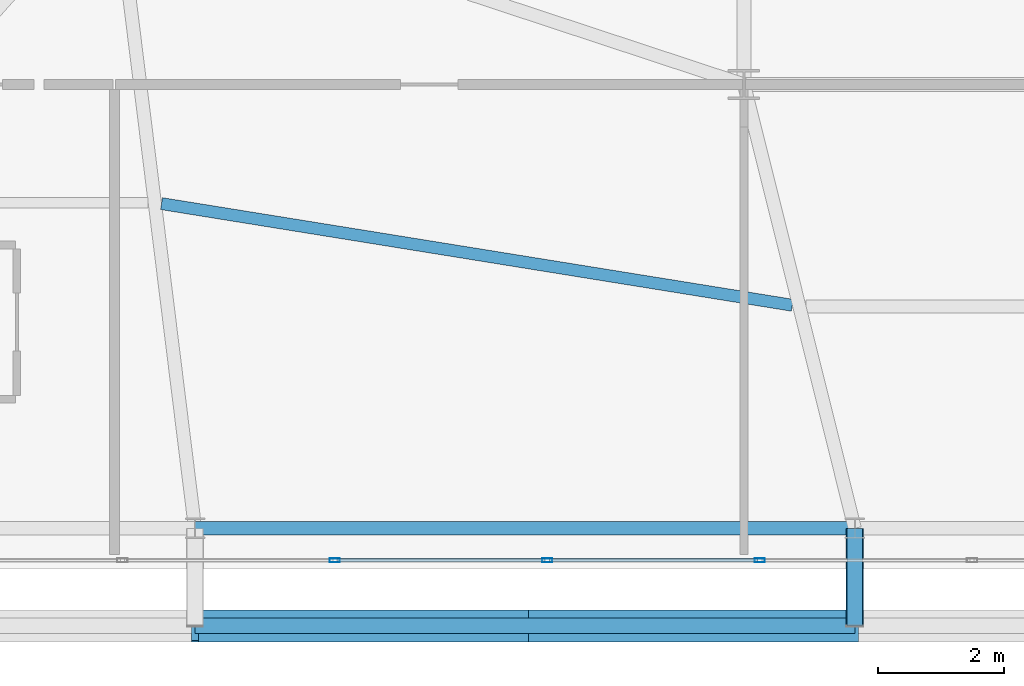
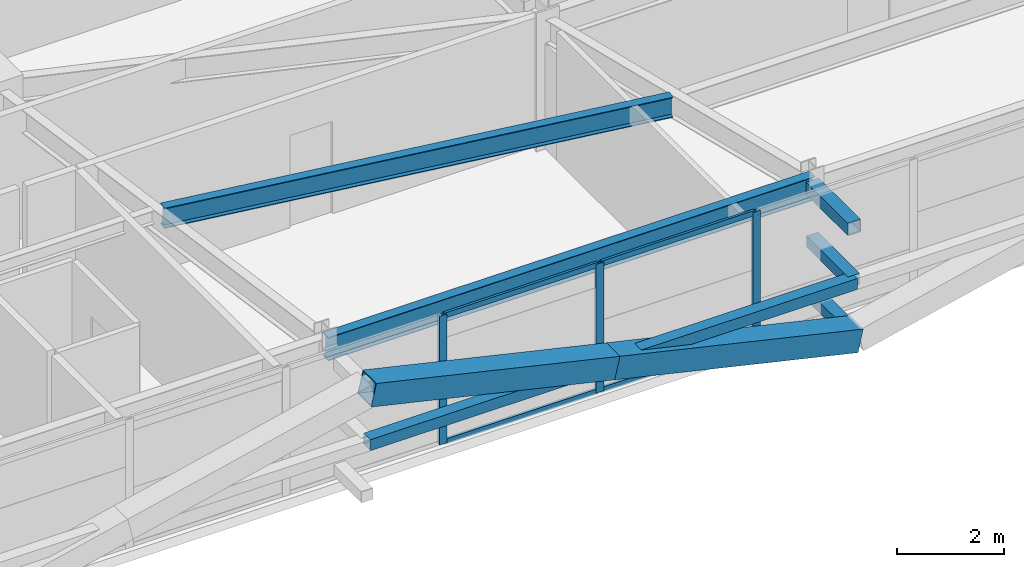
# One storey, part 11 of 59: 13 members, 2 beams, 1 element without a shape of its own.
"""IFC4 building model written with IfcOpenShell, lengths in metres."""

from ifc_helpers import new_model, si_unit, direction, frame, origin, origin_2d, place, context, subcontext, project, spatial, hollow_rectangle, i_section, extrude, source, transform, mapped, material, layer, layer_set, material_profile, profile_set, type_object, element, aggregate, save


model = new_model("IFC4")

# Units and contexts
model_context = context("Model", 3, precision=1e-05, world=origin(), true_north=direction((0.0, 1.0)))
body_context = subcontext(model_context, "Body", "Model", "MODEL_VIEW")
ifc_project = project(units=[si_unit("LENGTHUNIT", "METRE"), si_unit("AREAUNIT", "SQUARE_METRE"), si_unit("VOLUMEUNIT", "CUBIC_METRE"), si_unit("PLANEANGLEUNIT", "RADIAN"), si_unit("MASSUNIT", "GRAM", prefix="KILO")], contexts=[model_context])

# Site, building, storey
site_placement = place(None, origin())
site = spatial("IfcSite", under=ifc_project, at=site_placement, CompositionType="ELEMENT")
building_placement = place(site_placement, origin())
building = spatial("IfcBuilding", under=site, at=building_placement, Name="Taldren Reach Tower", CompositionType="ELEMENT")
storey_placement = place(building_placement, frame((0.0, 0.0, 29.39990234375)))
storey = spatial("IfcBuildingStorey", under=building, at=storey_placement, Name="L08", CompositionType="ELEMENT", Elevation=29.39990234375)

# Beams
ifc_material_1 = material(Name="Steel Gr 350 (350PLUS)", Category="steel")
ifc_material_profile_1 = material_profile(ifc_material_1, i_section(OverallWidth=0.208984375, OverallDepth=0.528076171875, WebThickness=0.009521484375, FlangeThickness=0.01318359375, at=origin_2d()), Name="530UB82.0")
ifc_profile_set_1 = profile_set([ifc_material_profile_1], Name="Steel Gr 350 (350PLUS)")
beam_type_1 = type_object("IfcBeamType", Name="SP-UB530B", PredefinedType="SPANDREL", material=ifc_profile_set_1)
shared_shape_1 = source(origin(), body_context, "Body", "SweptSolid", [
    extrude(i_section(OverallWidth=0.208984375, OverallDepth=0.528076171875, WebThickness=0.009521484375, FlangeThickness=0.01318359375, at=origin_2d()), origin(), (0.0, 0.0, 1.0), 10.47998046875),
])
beam_1_placement = place(storey_placement, frame((19.280029296875, 2.14990234375, 2.666015625), z_axis=(1.0, 0.0, 0.0), x_axis=(0.0, 1.0, 0.0)))
element("IfcBeam", 1, at=beam_1_placement, inside=storey, type_object=beam_type_1, Name="Perimeter spandrel B1 S2-S3 L08", PredefinedType="SPANDREL", context=body_context, shape_type="MappedRepresentation", body=[
    mapped(shared_shape_1, transform((0.0, 0.0, 0.0), scale=1.0)),
])
ifc_material_profile_2 = material_profile(ifc_material_1, i_section(OverallWidth=0.19091796875, OverallDepth=0.4599609375, WebThickness=0.010009765625, FlangeThickness=0.01611328125, at=origin_2d()), Name="460UB82.1")
ifc_profile_set_2 = profile_set([ifc_material_profile_2], Name="Steel Gr 350 (350PLUS)")
beam_type_2 = type_object("IfcBeamType", Name="BM-UB460A", PredefinedType="BEAM", material=ifc_profile_set_2)
shared_shape_2 = source(origin(), body_context, "Body", "SweptSolid", [
    extrude(i_section(OverallWidth=0.19091796875, OverallDepth=0.4599609375, WebThickness=0.010009765625, FlangeThickness=0.01611328125, at=origin_2d()), origin(), (0.0, 0.0, 1.0), 10.1494140625),
])
beam_2_placement = place(storey_placement, frame((18.74755859375, 7.3076171875, 2.7001953125), z_axis=(0.987266967452, -0.159072106224, 0.0), x_axis=(0.159072106224, 0.987266967452, 0.0)))
element("IfcBeam", 2, at=beam_2_placement, inside=storey, type_object=beam_type_2, Name="Secondary floor beam B1 J2 L08", PredefinedType="BEAM", context=body_context, shape_type="MappedRepresentation", body=[
    mapped(shared_shape_2, transform((0.0, 0.0, 0.0), scale=1.0)),
])

# Members
ifc_material_2 = material(Name="Steel Gr 450 (C450L0)", Category="steel")
ifc_material_profile_3 = material_profile(ifc_material_2, hollow_rectangle(XDim=0.27490234375, YDim=0.27490234375, WallThickness=0.00927734375, at=origin_2d()), Name="275x275x9.3SHS")
ifc_profile_set_3 = profile_set([ifc_material_profile_3], Name="Steel Gr 450 (C450L0)")
member_type_1 = type_object("IfcMemberType", Name="MB-TIE273", PredefinedType="STRUT", material=ifc_profile_set_3)
shared_shape_3 = source(origin(), body_context, "Body", "SweptSolid", [
    extrude(hollow_rectangle(XDim=0.27490234375, YDim=0.27490234375, WallThickness=0.00927734375, at=origin_2d()), origin(), (0.0, 0.0, 1.0), 1.5498046875),
])
member_1_placement = place(storey_placement, frame((29.760009765625, 2.14990234375, 2.650146484375), z_axis=(0.0, -1.0, 0.0), x_axis=(1.0, 0.0, 0.0)))
element("IfcMember", 3, at=member_1_placement, inside=storey, type_object=member_type_1, Name="Exoskeleton diaphragm tie strut B1-S3 L08", PredefinedType="STRUT", context=body_context, shape_type="MappedRepresentation", body=[
    mapped(shared_shape_3, transform((0.0, 0.0, 0.0), scale=1.0)),
])
ifc_material_profile_4 = material_profile(ifc_material_2, hollow_rectangle(XDim=0.510009765625, YDim=0.510009765625, WallThickness=0.02001953125, at=origin_2d()), Name="510x510x20.0SHS")
ifc_profile_set_4 = profile_set([ifc_material_profile_4], Name="Steel Gr 450 (C450L0)")
member_type_2 = type_object("IfcMemberType", Name="MB-EXO508", PredefinedType="BRACE", material=ifc_profile_set_4)
shared_shape_4 = source(origin(), body_context, "Body", "SweptSolid", [
    extrude(hollow_rectangle(XDim=0.510009765625, YDim=0.510009765625, WallThickness=0.02001953125, at=origin_2d()), origin(), (0.0, 0.0, 1.0), 5.37890625),
])
for number, where, z_axis, x_axis, name in (
    (4, (29.760009765625, 0.60009765625, 0.22021484375), (-0.974161966843, 0.0, 0.225850531007), (0.0, -1.0, 0.0), "Exoskeleton Diagrid Brace B1-S2 L08"),
    (5, (24.52001953125, 0.60009765625, 1.43505859375), (-0.97415197996, 0.0, 0.225893603143), (0.0, -1.0, 0.0), "Exoskeleton Diagrid Brace B1-S2 L08"),
):
    element("IfcMember", number, at=place(storey_placement, frame(where, z_axis=z_axis, x_axis=x_axis)), inside=storey, type_object=member_type_2, Name=name, PredefinedType="BRACE", context=body_context, shape_type="MappedRepresentation", body=[
        mapped(shared_shape_4, transform((0.0, 0.0, 0.0), scale=1.0)),
    ])
ifc_material_3 = material(Name="Steel Gr 350 (C350L0)", Category="steel")
ifc_material_profile_5 = material_profile(ifc_material_3, hollow_rectangle(XDim=0.25, YDim=0.25, WallThickness=0.010009765625, at=origin_2d()), Name="250x250x10.0SHS")
ifc_profile_set_5 = profile_set([ifc_material_profile_5], Name="Steel Gr 350 (C350L0)")
member_type_3 = type_object("IfcMemberType", Name="MB-POST250", PredefinedType="POST", material=ifc_profile_set_5)
shared_shape_5 = source(origin(), body_context, "Body", "SweptSolid", [
    extrude(hollow_rectangle(XDim=0.25, YDim=0.25, WallThickness=0.010009765625, at=origin_2d()), origin(), (0.0, 0.0, 1.0), 10.47998046875),
])
member_2_placement = place(storey_placement, frame((19.280029296875, 0.60009765625, 1.43505859375), z_axis=(1.0, 0.0, 0.0), x_axis=(0.0, 1.0, 0.0)))
element("IfcMember", 6, at=member_2_placement, inside=storey, type_object=member_type_3, Name="Exoskeleton mid-height ring chord B1-S2 L08", PredefinedType="POST", context=body_context, shape_type="MappedRepresentation", body=[
    mapped(shared_shape_5, transform((0.0, 0.0, 0.0), scale=1.0)),
])
shared_shape_6 = source(origin(), body_context, "Body", "SweptSolid", [
    extrude(hollow_rectangle(XDim=0.25, YDim=0.25, WallThickness=0.010009765625, at=origin_2d()), origin(), (0.0, 0.0, 1.0), 1.5498046875),
])
for number, where, z_axis, x_axis, name in (
    (7, (29.760009765625, 2.14990234375, 0.22021484375), (0.0, -1.0, 0.0), (1.0, 0.0, 0.0), "Exoskeleton base diaphragm tie strut B1-S3 L08"),
    (8, (29.760009765625, 2.14990234375, 1.43505859375), (0.0, -1.0, 0.0), (1.0, 0.0, 0.0), "Exoskeleton mid-tier diaphragm tie B1-S3 L08"),
):
    element("IfcMember", number, at=place(storey_placement, frame(where, z_axis=z_axis, x_axis=x_axis)), inside=storey, type_object=member_type_3, Name=name, PredefinedType="POST", context=body_context, shape_type="MappedRepresentation", body=[
        mapped(shared_shape_6, transform((0.0, 0.0, 0.0), scale=1.0)),
    ])

# Curtain wall, members
ifc_material_4 = material(Name="Aluminium and Low-E Glass Unitised System", Category="aluminium")
ifc_layer = layer(ifc_material_4, 0.159912109375)
ifc_layer_set = layer_set([ifc_layer], Name="Aluminium and Low-E Glass Unitised System")
curtain_wall_type = type_object("IfcCurtainWallType", Name="CW-SYS-2", PredefinedType="NOTDEFINED", material=ifc_layer_set)
curtain_wall_placement = place(storey_placement, origin())
curtain_wall = element("IfcCurtainWall", 9, at=curtain_wall_placement, inside=storey, type_object=curtain_wall_type, Name="Unitised curtain wall CW-L08-S", PredefinedType="NOTDEFINED")
ifc_material_5 = material(Name="Anodised Aluminium 6063-T6", Category="aluminium")
ifc_material_profile_6 = material_profile(ifc_material_5, hollow_rectangle(XDim=0.054931640625, YDim=0.1201171875, WallThickness=0.0029296875, at=origin_2d()), Name="ALU-120x55x3RHS")
ifc_profile_set_6 = profile_set([ifc_material_profile_6], Name="Anodised Aluminium 6063-T6")
member_type_4 = type_object("IfcMemberType", Name="CW-TRN-135", PredefinedType="USERDEFINED", material=ifc_profile_set_6)
shared_shape_7 = source(origin(), body_context, "Body", "SweptSolid", [
    extrude(hollow_rectangle(XDim=0.054931640625, YDim=0.1201171875, WallThickness=0.0029296875, at=origin_2d()), origin(), (0.0, 0.0, 1.0), 3.31005859375),
])
member_3_placement = place(storey_placement, frame((21.532470703125, 1.639892578125, 0.027587890625), z_axis=(1.0, 0.0, 0.0), x_axis=(0.0, 1.0, 0.0)))
member_3 = element("IfcMember", 10, at=member_3_placement, type_object=member_type_4, Name="CW-2 transom 5.1", ObjectType="TRANSOM", PredefinedType="USERDEFINED", context=body_context, shape_type="MappedRepresentation", body=[
    mapped(shared_shape_7, transform((0.0, 0.0, 0.0), scale=1.0)),
])
member_4_placement = place(storey_placement, frame((21.532470703125, 1.639892578125, 2.902587890625), z_axis=(1.0, 0.0, 0.0), x_axis=(0.0, 1.0, 0.0)))
member_4 = element("IfcMember", 11, at=member_4_placement, type_object=member_type_4, Name="CW-2 transom 5.2", ObjectType="TRANSOM", PredefinedType="USERDEFINED", context=body_context, shape_type="MappedRepresentation", body=[
    mapped(shared_shape_7, transform((0.0, 0.0, 0.0), scale=1.0)),
])
member_5_placement = place(storey_placement, frame((24.907470703125, 1.639892578125, 0.027587890625), z_axis=(1.0, 0.0, 0.0), x_axis=(0.0, 1.0, 0.0)))
member_5 = element("IfcMember", 12, at=member_5_placement, type_object=member_type_4, Name="CW-2 transom 6.1", ObjectType="TRANSOM", PredefinedType="USERDEFINED", context=body_context, shape_type="MappedRepresentation", body=[
    mapped(shared_shape_7, transform((0.0, 0.0, 0.0), scale=1.0)),
])
member_6_placement = place(storey_placement, frame((24.907470703125, 1.639892578125, 2.902587890625), z_axis=(1.0, 0.0, 0.0), x_axis=(0.0, 1.0, 0.0)))
member_6 = element("IfcMember", 13, at=member_6_placement, type_object=member_type_4, Name="CW-2 transom 6.2", ObjectType="TRANSOM", PredefinedType="USERDEFINED", context=body_context, shape_type="MappedRepresentation", body=[
    mapped(shared_shape_7, transform((0.0, 0.0, 0.0), scale=1.0)),
])
ifc_material_profile_7 = material_profile(ifc_material_5, hollow_rectangle(XDim=0.06494140625, YDim=0.1650390625, WallThickness=0.00390625, at=origin_2d()), Name="ALU-165x65x4RHS")
ifc_profile_set_7 = profile_set([ifc_material_profile_7], Name="Anodised Aluminium 6063-T6")
member_type_5 = type_object("IfcMemberType", Name="CW-MUL-165", PredefinedType="MULLION", material=ifc_profile_set_7)
shared_shape_8 = source(origin(), body_context, "Body", "SweptSolid", [
    extrude(hollow_rectangle(XDim=0.06494140625, YDim=0.1650390625, WallThickness=0.00390625, at=origin_2d()), origin(), (0.0, 0.0, 1.0), 2.93017578125),
])
member_7_placement = place(storey_placement, frame((21.5, 1.639892578125, 0.0), z_axis=(0.0, 0.0, 1.0), x_axis=(0.0, 1.0, 0.0)))
member_7 = element("IfcMember", 14, at=member_7_placement, type_object=member_type_5, Name="CW-2 mullion 5", PredefinedType="MULLION", context=body_context, shape_type="MappedRepresentation", body=[
    mapped(shared_shape_8, transform((0.0, 0.0, 0.0), scale=1.0)),
])
member_8_placement = place(storey_placement, frame((24.875, 1.639892578125, 0.0), z_axis=(0.0, 0.0, 1.0), x_axis=(0.0, 1.0, 0.0)))
member_8 = element("IfcMember", 15, at=member_8_placement, type_object=member_type_5, Name="CW-2 mullion 6", PredefinedType="MULLION", context=body_context, shape_type="MappedRepresentation", body=[
    mapped(shared_shape_8, transform((0.0, 0.0, 0.0), scale=1.0)),
])
member_9_placement = place(storey_placement, frame((28.25, 1.639892578125, 0.0), z_axis=(0.0, 0.0, 1.0), x_axis=(0.0, 1.0, 0.0)))
member_9 = element("IfcMember", 16, at=member_9_placement, type_object=member_type_5, Name="CW-2 mullion 7", PredefinedType="MULLION", context=body_context, shape_type="MappedRepresentation", body=[
    mapped(shared_shape_8, transform((0.0, 0.0, 0.0), scale=1.0)),
])
aggregate(curtain_wall, [member_7, member_8, member_9, member_3, member_4, member_5, member_6])

save(model, "model.ifc")
